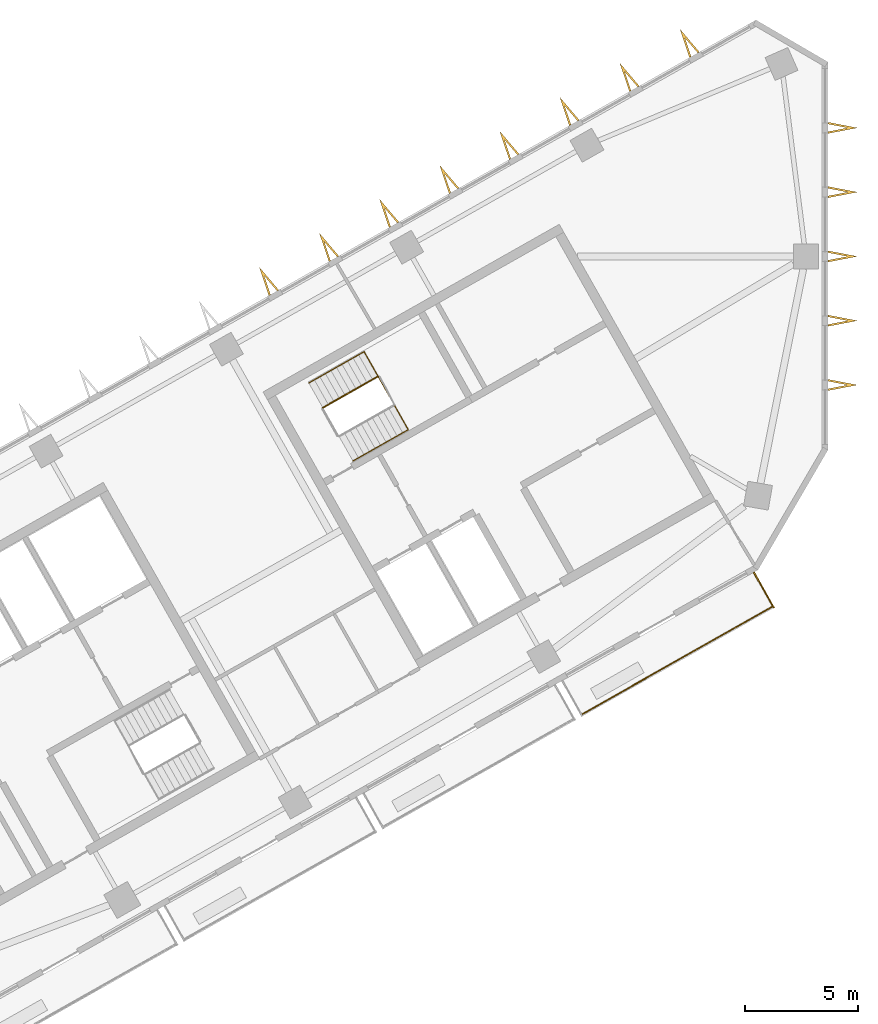
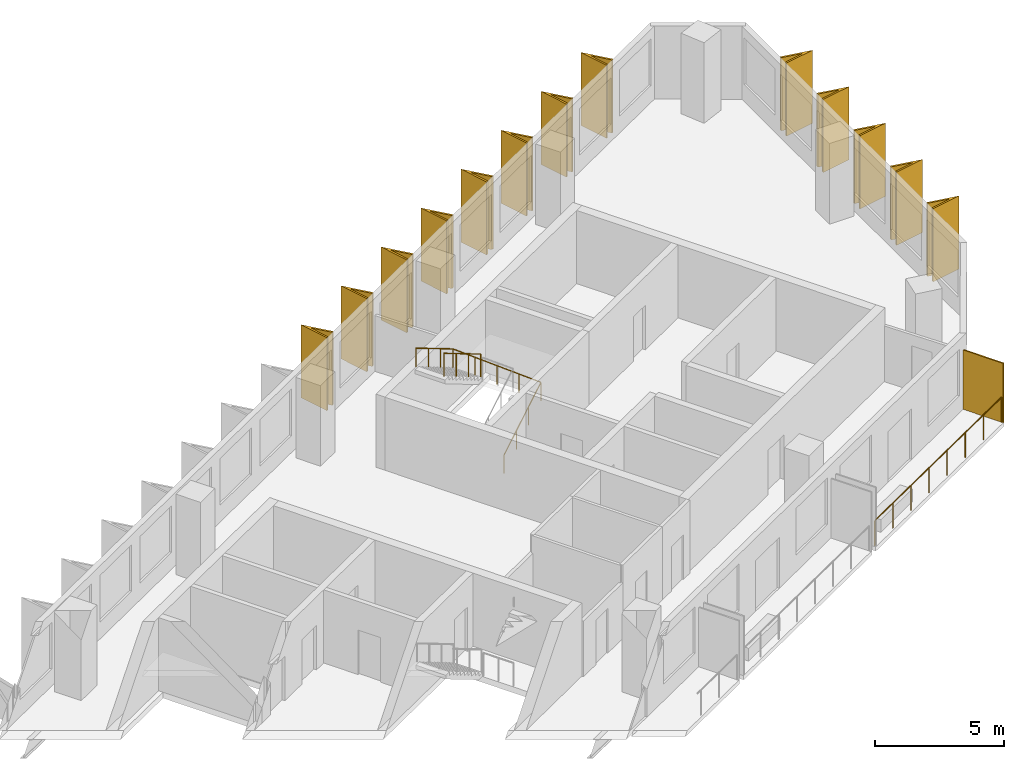
# One storey, part 7 of 8: 14 shading devices, 3 railings.
"""IFC4 building model written with IfcOpenShell, lengths in metres."""

import ifcopenshell
import ifcopenshell.guid

model = None  # the IFC model being written
_history = None  # IfcOwnerHistory: only IFC2X3 demands one
_inside = {}  # id of a spatial element -> (the spatial element, [elements in it])
_under = {}  # id of a project, library or spatial element -> (it, [spatial elements below it])
_declared = {}  # id of a project -> (the project, [libraries it declares])
_typed = {}  # id of a type object -> (the type object, [elements of that type])
_made_of = {}  # id of a material, layer set ... -> (it, [elements and type objects made of it])


def new_model(schema):
    """Start an empty IFC model of exactly this schema.

    Asked for "IFC4X3", IfcOpenShell would pick the latest addendum, in which some entities
    have other attributes; the version numbers below select the first issue.
    IFC2X3 requires an IfcOwnerHistory on every rooted entity: one is made here for all.
    """
    global model, _history
    if schema == "IFC4X3":
        model = ifcopenshell.file(schema_version=(4, 3, 0, 0))
    else:
        model = ifcopenshell.file(schema=schema)
    _inside.clear()
    _under.clear()
    _declared.clear()
    _typed.clear()
    _made_of.clear()
    _history = None
    if model.schema == "IFC2X3":
        org = make("IfcOrganization", Name="unknown")
        user = make(
            "IfcPersonAndOrganization",
            ThePerson=make("IfcPerson", FamilyName="unknown"),
            TheOrganization=org,
        )
        app = make(
            "IfcApplication",
            ApplicationDeveloper=org,
            Version="unknown",
            ApplicationFullName="unknown",
            ApplicationIdentifier="unknown",
        )
        _history = make(
            "IfcOwnerHistory",
            OwningUser=user,
            OwningApplication=app,
            ChangeAction="ADDED",
            CreationDate=0,
        )
    return model


def make(cls, **values):
    """One entity of the class cls with the attributes given. An attribute that is None is left unset."""
    return model.create_entity(
        cls, **{name: value for name, value in values.items() if value is not None}
    )


def rooted(cls, **values):
    """An entity with a GlobalId (a new one), such as an element, a storey or a relation."""
    return make(cls, GlobalId=ifcopenshell.guid.new(), OwnerHistory=_history, **values)


def si_unit(unit_type, name, prefix=None):
    """IfcSIUnit, for example si_unit("LENGTHUNIT", "METRE", prefix="MILLI")."""
    return make("IfcSIUnit", UnitType=unit_type, Prefix=prefix, Name=name)


def assignment(units):
    """IfcUnitAssignment: the units of a project."""
    return None if units is None else make("IfcUnitAssignment", Units=units)


def point(xyz):
    """IfcCartesianPoint."""
    return None if xyz is None else make("IfcCartesianPoint", Coordinates=xyz)


def direction(xyz):
    """IfcDirection."""
    return None if xyz is None else make("IfcDirection", DirectionRatios=xyz)


def frame(location, z_axis=None, x_axis=None):
    """IfcAxis2Placement3D, a coordinate frame: its origin and axes. An axis left out is left unset."""
    return make(
        "IfcAxis2Placement3D",
        Location=point(location),
        Axis=direction(z_axis),
        RefDirection=direction(x_axis),
    )


def frame_2d(location, x_axis=None):
    """IfcAxis2Placement2D, a coordinate frame in the plane: its origin and x axis."""
    return make(
        "IfcAxis2Placement2D", Location=point(location), RefDirection=direction(x_axis)
    )


def origin():
    """The frame at (0, 0, 0) with its axes left unset."""
    return frame((0.0, 0.0, 0.0))


def origin_2d():
    """The frame at (0, 0) in the plane with its x axis left unset."""
    return frame_2d((0.0, 0.0))


def place(relative_to, where):
    """IfcLocalPlacement: puts the frame where relative to a parent placement (None: the world)."""
    return make(
        "IfcLocalPlacement", PlacementRelTo=relative_to, RelativePlacement=where
    )


def context(
    kind, dimensions, precision=None, world=None, true_north=None, identifier=None
):
    """IfcGeometricRepresentationContext, for example the 3D "Model" context."""
    return make(
        "IfcGeometricRepresentationContext",
        ContextIdentifier=identifier,
        ContextType=kind,
        CoordinateSpaceDimension=dimensions,
        Precision=precision,
        WorldCoordinateSystem=world,
        TrueNorth=true_north,
    )


def subcontext(parent, identifier, kind, view, scale=None):
    """IfcGeometricRepresentationSubContext, for example "Body" below "Model"."""
    return make(
        "IfcGeometricRepresentationSubContext",
        ContextIdentifier=identifier,
        ContextType=kind,
        ParentContext=parent,
        TargetScale=scale,
        TargetView=view,
    )


def project(units=None, contexts=None):
    """IfcProject with its units and contexts."""
    return rooted(
        "IfcProject",
        Name="project",
        RepresentationContexts=contexts,
        UnitsInContext=assignment(units),
    )


def spatial(cls, under=None, at=None, **own):
    """A site, building, storey or space (cls), placed at a placement, below another one or the project."""
    s = rooted(cls, ObjectPlacement=at, **own)
    if under is not None:
        _under.setdefault(under.id(), (under, []))[1].append(s)
    return s


def polyline(points):
    """IfcPolyline through the points."""
    return make("IfcPolyline", Points=[point(p) for p in points])


def profile(cls, at=None, kind="AREA", **sizes):
    """A parametric profile (cls). Its sizes go by their IFC names, for example OverallWidth=200.0."""
    return make(cls, ProfileType=kind, Position=at, **sizes)


def rectangle(**sizes):
    """IfcRectangleProfileDef."""
    return profile("IfcRectangleProfileDef", **sizes)


def circle(**sizes):
    """IfcCircleProfileDef."""
    return profile("IfcCircleProfileDef", **sizes)


def outline(outer, holes=None, kind="AREA"):
    """IfcArbitraryClosedProfileDef: a profile drawn as a closed curve; with holes, ...WithVoids."""
    if holes is None:
        return make("IfcArbitraryClosedProfileDef", ProfileType=kind, OuterCurve=outer)
    return make(
        "IfcArbitraryProfileDefWithVoids",
        ProfileType=kind,
        OuterCurve=outer,
        InnerCurves=holes,
    )


def extrude(swept, where, along, depth):
    """IfcExtrudedAreaSolid: the profile swept, set in the frame where, extruded along a direction by depth."""
    return make(
        "IfcExtrudedAreaSolid",
        SweptArea=swept,
        Position=where,
        ExtrudedDirection=direction(along),
        Depth=depth,
    )


def shape(context_of_items, identifier, shape_type, items):
    """IfcShapeRepresentation: the items that make up one representation, for example the "Body"."""
    return make(
        "IfcShapeRepresentation",
        ContextOfItems=context_of_items,
        RepresentationIdentifier=identifier,
        RepresentationType=shape_type,
        Items=items,
    )


def material(Name=None, Category=None):
    """IfcMaterial."""
    return make("IfcMaterial", Name=Name, Category=Category)


def layer(
    of_material, thickness, ventilated=None, Name=None, Category=None, Priority=None
):
    """IfcMaterialLayer: one layer of a wall or slab, of a material (None: an air gap)."""
    return make(
        "IfcMaterialLayer",
        Material=of_material,
        LayerThickness=thickness,
        IsVentilated=ventilated,
        Name=Name,
        Category=Category,
        Priority=Priority,
    )


def layer_set(layers, Name=None):
    """IfcMaterialLayerSet."""
    return make("IfcMaterialLayerSet", MaterialLayers=layers, LayerSetName=Name)


def made_of(thing, what):
    """Note that an element or type object is made of a material, layer set ...; save() writes the relation."""
    if what is not None:
        _made_of.setdefault(what.id(), (what, []))[1].append(thing)
    return thing


def type_object(cls, material=None, **own):
    """A type object (cls), such as IfcWallType, which elements share."""
    return made_of(rooted(cls, **own), material)


def element(
    cls,
    number,
    at=None,
    inside=None,
    cuts=None,
    type_object=None,
    material=None,
    context=None,
    identifier="Body",
    shape_type=None,
    held_by="IfcProductDefinitionShape",
    body=None,
    shapes=None,
    **own,
):
    """One element of the class cls, such as IfcWall. Its Tag is "e" and its number.

    at: its placement. inside: the storey or other place that contains it. cuts: it is an
    opening in that element (IfcRelVoidsElement). A single representation is given by context,
    identifier, shape_type and body (its items); several are given by shapes. held_by: the class
    of the entity that holds the representations. save() writes the other relations.
    """
    e = rooted(cls, Tag="e%d" % number, ObjectPlacement=at, **own)
    if body is not None:
        shapes = [shape(context, identifier, shape_type, body)]
    if shapes is not None:
        e.Representation = make(held_by, Representations=shapes)
    if inside is not None:
        _inside.setdefault(inside.id(), (inside, []))[1].append(e)
    if cuts is not None:
        rooted(
            "IfcRelVoidsElement", RelatingBuildingElement=cuts, RelatedOpeningElement=e
        )
    if type_object is not None:
        _typed.setdefault(type_object.id(), (type_object, []))[1].append(e)
    return made_of(e, material)


def aggregate(whole, parts):
    """IfcRelAggregates: a whole, such as a stair, and the parts it consists of."""
    return rooted("IfcRelAggregates", RelatingObject=whole, RelatedObjects=parts)


def save(model, path):
    """Write the relations noted so far, then the file.

    IfcRelAggregates (storeys below a building ...), IfcRelContainedInSpatialStructure (elements
    in a storey), IfcRelDefinesByType, IfcRelAssociatesMaterial and IfcRelDeclares: one each for
    every whole, place, type object, material and project.
    """
    for whole, parts in _under.values():
        aggregate(whole, parts)
    for where, things in _inside.values():
        rooted(
            "IfcRelContainedInSpatialStructure",
            RelatedElements=things,
            RelatingStructure=where,
        )
    for kind, things in _typed.values():
        rooted("IfcRelDefinesByType", RelatedObjects=things, RelatingType=kind)
    for what, things in _made_of.values():
        rooted("IfcRelAssociatesMaterial", RelatedObjects=things, RelatingMaterial=what)
    for by, libraries in _declared.values():
        rooted("IfcRelDeclares", RelatingContext=by, RelatedDefinitions=libraries)
    model.write(path)


model = new_model("IFC4")

# Units and contexts
model_context = context("Model", 3, precision=1e-05, world=origin(), true_north=direction((0.0, 1.0)))
body_context = subcontext(model_context, "Body", "Model", "MODEL_VIEW")
ifc_project = project(units=[si_unit("LENGTHUNIT", "METRE"), si_unit("AREAUNIT", "SQUARE_METRE"), si_unit("VOLUMEUNIT", "CUBIC_METRE"), si_unit("PLANEANGLEUNIT", "RADIAN"), si_unit("MASSUNIT", "GRAM", prefix="KILO")], contexts=[model_context])

# Site, building, storey
site_placement = place(None, origin())
site = spatial("IfcSite", under=ifc_project, at=site_placement, CompositionType="ELEMENT")
building_placement = place(site_placement, origin())
building = spatial("IfcBuilding", under=site, at=building_placement, Name="Binnacle Exchange Tower", CompositionType="ELEMENT")
storey_placement = place(building_placement, frame((0.0, 0.0, 308.300048828125)))
storey = spatial("IfcBuildingStorey", under=building, at=storey_placement, Name="L69", CompositionType="ELEMENT", Elevation=308.300048828125)

# Railing
ifc_material_1 = material(Name="Bronze anodised aluminium frame", Category="aluminium")
railing_type_1 = type_object("IfcRailingType", Name="GUARD 1200", PredefinedType="GUARDRAIL", material=ifc_material_1)
railing_1_placement = place(storey_placement, frame((-10.7177734375, 39.81640625, 0.0)))
element("IfcRailing", 1, at=railing_1_placement, inside=storey, type_object=railing_type_1, Name="Balcony guard H07-B03 L69", PredefinedType="GUARDRAIL", context=body_context, shape_type="SweptSolid", body=[
    extrude(circle(Radius=0.02392578125, at=origin_2d()), frame((0.0, 0.0, 1.17578125), z_axis=(0.870353035673, 0.492428262079, 0.0), x_axis=(-0.492428262079, 0.870353035673, 0.0)), (0.0, 0.0, 1.0), 9.64794921875),
    extrude(circle(Radius=0.02099609375, at=origin_2d()), origin(), (0.0, 0.0, 1.0), 1.15185546875),
    extrude(circle(Radius=0.02099609375, at=origin_2d()), frame((1.19970703125, 0.6787109375, 0.0)), (0.0, 0.0, 1.0), 1.15185546875),
    extrude(circle(Radius=0.02099609375, at=origin_2d()), frame((2.399169921875, 1.357421875, 0.0)), (0.0, 0.0, 1.0), 1.15185546875),
    extrude(circle(Radius=0.02099609375, at=origin_2d()), frame((3.598876953125, 2.0361328125, 0.0)), (0.0, 0.0, 1.0), 1.15185546875),
    extrude(circle(Radius=0.02099609375, at=origin_2d()), frame((4.79833984375, 2.71484375, 0.0)), (0.0, 0.0, 1.0), 1.15185546875),
    extrude(circle(Radius=0.02099609375, at=origin_2d()), frame((5.998046875, 3.3935546875, 0.0)), (0.0, 0.0, 1.0), 1.15185546875),
    extrude(circle(Radius=0.02099609375, at=origin_2d()), frame((7.197509765625, 4.072265625, 0.0)), (0.0, 0.0, 1.0), 1.15185546875),
    extrude(circle(Radius=0.02099609375, at=origin_2d()), frame((8.397216796875, 4.7509765625, 0.0)), (0.0, 0.0, 1.0), 1.15185546875),
])

# Shading device
ifc_material_2 = material(Name="Bronze aluminium louvre", Category="aluminium")
ifc_layer = layer(ifc_material_2, 0.06005859375)
ifc_layer_set = layer_set([ifc_layer], Name="PLANTED SCREEN 60x2800")
shading_device_type_1 = type_object("IfcShadingDeviceType", Name="PLANTED SCREEN 60x2800", PredefinedType="USERDEFINED", material=ifc_layer_set)
shading_device_1_placement = place(storey_placement, frame((-2.697998046875, 45.2958984375, 0.0), z_axis=(0.0, 0.0, 1.0), x_axis=(0.87035569594, 0.492423560103, 0.0)))
element("IfcShadingDevice", 2, at=shading_device_1_placement, inside=storey, type_object=shading_device_type_1, Name="Planted screen H07-B03b L69", ObjectType="SCREEN", PredefinedType="USERDEFINED", context=body_context, shape_type="SweptSolid", body=[
    extrude(rectangle(XDim=0.06005859375, YDim=1.800048828125, at=origin_2d()), origin(), (0.0, 0.0, 1.0), 2.800048828125),
])

# Railings
ifc_material_3 = material(Name="Steel guard rail", Category="steel")
railing_type_2 = type_object("IfcRailingType", Name="STAIR GUARD 1100", PredefinedType="GUARDRAIL", material=ifc_material_3)
railing_2_placement = place(storey_placement, frame((-19.70068359375, 54.71337890625, 2.07275390625)))
element("IfcRailing", 3, at=railing_2_placement, inside=storey, type_object=railing_type_2, Name="L69 STC1 stair guard 2", PredefinedType="GUARDRAIL", context=body_context, shape_type="SweptSolid", body=[
    extrude(circle(Radius=0.02392578125, at=origin_2d()), frame((0.0, 0.0, 1.076171875), z_axis=(-0.740760999345, -0.419062048017, 0.525033467278), x_axis=(0.492387636113, -0.870376019777, 0.0)), (0.0, 0.0, 1.0), 3.289794921875),
    extrude(circle(Radius=0.02099609375, at=origin_2d()), origin(), (0.0, 0.0, 1.0), 1.052001953125),
    extrude(circle(Radius=0.02099609375, at=origin_2d()), frame((-0.812255859375, -0.45947265625, 0.57568359375)), (0.0, 0.0, 1.0), 1.052001953125),
    extrude(circle(Radius=0.02099609375, at=origin_2d()), frame((-1.624755859375, -0.919189453125, 1.151611328125)), (0.0, 0.0, 1.0), 1.052001953125),
    extrude(circle(Radius=0.02099609375, at=origin_2d()), frame((-2.43701171875, -1.378662109375, 1.727294921875)), (0.0, 0.0, 1.0), 1.052001953125),
])
ifc_material_4 = material(Name="Steel handrail", Category="steel")
railing_type_3 = type_object("IfcRailingType", Name="STAIR HANDRAIL 900", PredefinedType="HANDRAIL", material=ifc_material_4)
railing_3_placement = place(storey_placement, frame((-20.808349609375, 50.984619140625, 0.172607421875)))
element("IfcRailing", 4, at=railing_3_placement, inside=storey, type_object=railing_type_3, Name="L69 STC1 stair handrail 1", PredefinedType="HANDRAIL", context=body_context, shape_type="SweptSolid", body=[
    extrude(circle(Radius=0.02392578125, at=origin_2d()), frame((0.0, 0.0, 0.8759765625), z_axis=(0.740737961854, 0.419123222656, 0.525017138862), x_axis=(-0.492453686477, 0.870338650569, 0.0)), (0.0, 0.0, 1.0), 3.2900390625),
    extrude(circle(Radius=0.02392578125, at=origin_2d()), frame((2.43701171875, 1.37890625, 2.60302734375), z_axis=(-0.491969260701, 0.869514140822, 0.043719623017), x_axis=(-0.87034633103, -0.492440112159, 0.0)), (0.0, 0.0, 1.0), 3.95361328125),
    extrude(circle(Radius=0.02392578125, at=origin_2d()), frame((0.491943359375, 4.816650390625, 2.77587890625), z_axis=(-0.740760999345, -0.419062048017, 0.525033467278), x_axis=(0.492387636113, -0.870376019777, 0.0)), (0.0, 0.0, 1.0), 3.289794921875),
    extrude(circle(Radius=0.02099609375, at=origin_2d()), origin(), (0.0, 0.0, 1.0), 0.851806640625),
    extrude(circle(Radius=0.02099609375, at=origin_2d()), frame((0.812255859375, 0.459716796875, 0.57568359375)), (0.0, 0.0, 1.0), 0.851806640625),
    extrude(circle(Radius=0.02099609375, at=origin_2d()), frame((1.624755859375, 0.919189453125, 1.151611328125)), (0.0, 0.0, 1.0), 0.851806640625),
    extrude(circle(Radius=0.02099609375, at=origin_2d()), frame((2.43701171875, 1.37890625, 1.727294921875)), (0.0, 0.0, 1.0), 0.851806640625),
    extrude(circle(Radius=0.02099609375, at=origin_2d()), frame((1.95068359375, 2.23828125, 1.7705078125)), (0.0, 0.0, 1.0), 0.851806640625),
    extrude(circle(Radius=0.02099609375, at=origin_2d()), frame((1.46435546875, 3.09765625, 1.813720703125)), (0.0, 0.0, 1.0), 0.851806640625),
    extrude(circle(Radius=0.02099609375, at=origin_2d()), frame((0.978271484375, 3.957275390625, 1.85693359375)), (0.0, 0.0, 1.0), 0.851806640625),
    extrude(circle(Radius=0.02099609375, at=origin_2d()), frame((0.491943359375, 4.816650390625, 1.900146484375)), (0.0, 0.0, 1.0), 0.851806640625),
    extrude(circle(Radius=0.02099609375, at=origin_2d()), frame((-0.3203125, 4.357177734375, 2.475830078125)), (0.0, 0.0, 1.0), 0.851806640625),
    extrude(circle(Radius=0.02099609375, at=origin_2d()), frame((-1.1328125, 3.8974609375, 3.0517578125)), (0.0, 0.0, 1.0), 0.851806640625),
    extrude(circle(Radius=0.02099609375, at=origin_2d()), frame((-1.945068359375, 3.43798828125, 3.62744140625)), (0.0, 0.0, 1.0), 0.851806640625),
])

# Shading devices
ifc_material_5 = material(Name="Bronze aluminium cladding", Category="aluminium")
shading_device_type_2 = type_object("IfcShadingDeviceType", Name="V FIN 1300 DEEP x 3450 HIGH", PredefinedType="USERDEFINED", material=ifc_material_5)
shading_device_2_placement = place(storey_placement, origin())
element("IfcShadingDevice", 5, at=shading_device_2_placement, inside=storey, type_object=shading_device_type_2, Name="V fin FN-H01-01 L69", ObjectType="FIN", PredefinedType="USERDEFINED", context=body_context, shape_type="SweptSolid", body=[
    extrude(outline(polyline([(0.125, 54.083251953125), (1.425048828125, 54.333251953125), (0.125, 54.583251953125), (0.125, 54.501708984375), (1.00146484375, 54.333251953125), (0.125, 54.164794921875), (0.125, 54.083251953125)])), origin(), (0.0, 0.0, 1.0), 3.449951171875),
])
shading_device_3_placement = place(storey_placement, origin())
element("IfcShadingDevice", 6, at=shading_device_3_placement, inside=storey, type_object=shading_device_type_2, Name="V fin FN-H01-02 L69", ObjectType="FIN", PredefinedType="USERDEFINED", context=body_context, shape_type="SweptSolid", body=[
    extrude(outline(polyline([(0.125, 56.916748046875), (1.425048828125, 57.166748046875), (0.125, 57.416748046875), (0.125, 57.335205078125), (1.00146484375, 57.166748046875), (0.125, 56.998291015625), (0.125, 56.916748046875)])), origin(), (0.0, 0.0, 1.0), 3.449951171875),
])
shading_device_4_placement = place(storey_placement, origin())
element("IfcShadingDevice", 7, at=shading_device_4_placement, inside=storey, type_object=shading_device_type_2, Name="V fin FN-H01-03 L69", ObjectType="FIN", PredefinedType="USERDEFINED", context=body_context, shape_type="SweptSolid", body=[
    extrude(outline(polyline([(0.125, 59.75), (1.425048828125, 60.0), (0.125, 60.25), (0.125, 60.16845703125), (1.00146484375, 60.0), (0.125, 59.83154296875), (0.125, 59.75)])), origin(), (0.0, 0.0, 1.0), 3.449951171875),
])
shading_device_5_placement = place(storey_placement, origin())
element("IfcShadingDevice", 8, at=shading_device_5_placement, inside=storey, type_object=shading_device_type_2, Name="V fin FN-H01-04 L69", ObjectType="FIN", PredefinedType="USERDEFINED", context=body_context, shape_type="SweptSolid", body=[
    extrude(outline(polyline([(0.125, 62.583251953125), (1.425048828125, 62.833251953125), (0.125, 63.083251953125), (0.125, 63.001708984375), (1.00146484375, 62.833251953125), (0.125, 62.664794921875), (0.125, 62.583251953125)])), origin(), (0.0, 0.0, 1.0), 3.449951171875),
])
shading_device_6_placement = place(storey_placement, origin())
element("IfcShadingDevice", 9, at=shading_device_6_placement, inside=storey, type_object=shading_device_type_2, Name="V fin FN-H01-05 L69", ObjectType="FIN", PredefinedType="USERDEFINED", context=body_context, shape_type="SweptSolid", body=[
    extrude(outline(polyline([(0.125, 65.416748046875), (1.425048828125, 65.666748046875), (0.125, 65.916748046875), (0.125, 65.835205078125), (1.00146484375, 65.666748046875), (0.125, 65.498291015625), (0.125, 65.416748046875)])), origin(), (0.0, 0.0, 1.0), 3.449951171875),
])
shading_device_7_placement = place(storey_placement, origin())
element("IfcShadingDevice", 10, at=shading_device_7_placement, inside=storey, type_object=shading_device_type_2, Name="V fin FN-H03-01 L69", ObjectType="FIN", PredefinedType="USERDEFINED", context=body_context, shape_type="SweptSolid", body=[
    extrude(outline(polyline([(-5.538818359375, 69.009765625), (-6.396728515625, 70.018310546875), (-5.97412109375, 68.763671875), (-5.9033203125, 68.8037109375), (-6.18798828125, 69.6494140625), (-5.60986328125, 68.9697265625), (-5.538818359375, 69.009765625)])), origin(), (0.0, 0.0, 1.0), 3.449951171875),
])
shading_device_8_placement = place(storey_placement, origin())
element("IfcShadingDevice", 11, at=shading_device_8_placement, inside=storey, type_object=shading_device_type_2, Name="V fin FN-H03-02 L69", ObjectType="FIN", PredefinedType="USERDEFINED", context=body_context, shape_type="SweptSolid", body=[
    extrude(outline(polyline([(-8.187744140625, 67.51123046875), (-9.04541015625, 68.51953125), (-8.622802734375, 67.264892578125), (-8.552001953125, 67.30517578125), (-8.8369140625, 68.15087890625), (-8.258544921875, 67.47119140625), (-8.187744140625, 67.51123046875)])), origin(), (0.0, 0.0, 1.0), 3.449951171875),
])
shading_device_9_placement = place(storey_placement, origin())
element("IfcShadingDevice", 12, at=shading_device_9_placement, inside=storey, type_object=shading_device_type_2, Name="V fin FN-H03-03 L69", ObjectType="FIN", PredefinedType="USERDEFINED", context=body_context, shape_type="SweptSolid", body=[
    extrude(outline(polyline([(-10.83642578125, 66.0126953125), (-11.694091796875, 67.02099609375), (-11.271484375, 65.766357421875), (-11.20068359375, 65.806396484375), (-11.485595703125, 66.65234375), (-10.9072265625, 65.972412109375), (-10.83642578125, 66.0126953125)])), origin(), (0.0, 0.0, 1.0), 3.449951171875),
])
shading_device_10_placement = place(storey_placement, origin())
element("IfcShadingDevice", 13, at=shading_device_10_placement, inside=storey, type_object=shading_device_type_2, Name="V fin FN-H03-04 L69", ObjectType="FIN", PredefinedType="USERDEFINED", context=body_context, shape_type="SweptSolid", body=[
    extrude(outline(polyline([(-13.485107421875, 64.51416015625), (-14.343017578125, 65.5224609375), (-13.92041015625, 64.267822265625), (-13.849365234375, 64.30810546875), (-14.13427734375, 65.15380859375), (-13.555908203125, 64.47412109375), (-13.485107421875, 64.51416015625)])), origin(), (0.0, 0.0, 1.0), 3.449951171875),
])
shading_device_11_placement = place(storey_placement, origin())
element("IfcShadingDevice", 14, at=shading_device_11_placement, inside=storey, type_object=shading_device_type_2, Name="V fin FN-H03-05 L69", ObjectType="FIN", PredefinedType="USERDEFINED", context=body_context, shape_type="SweptSolid", body=[
    extrude(outline(polyline([(-16.1337890625, 63.015380859375), (-16.99169921875, 64.02392578125), (-16.569091796875, 62.769287109375), (-16.498046875, 62.809326171875), (-16.782958984375, 63.6552734375), (-16.20458984375, 62.975341796875), (-16.1337890625, 63.015380859375)])), origin(), (0.0, 0.0, 1.0), 3.449951171875),
])
shading_device_12_placement = place(storey_placement, origin())
element("IfcShadingDevice", 15, at=shading_device_12_placement, inside=storey, type_object=shading_device_type_2, Name="V fin FN-H03-06 L69", ObjectType="FIN", PredefinedType="USERDEFINED", context=body_context, shape_type="SweptSolid", body=[
    extrude(outline(polyline([(-18.78271484375, 61.516845703125), (-19.640380859375, 62.525390625), (-19.2177734375, 61.270751953125), (-19.14697265625, 61.310791015625), (-19.431640625, 62.156494140625), (-18.853515625, 61.476806640625), (-18.78271484375, 61.516845703125)])), origin(), (0.0, 0.0, 1.0), 3.449951171875),
])
shading_device_13_placement = place(storey_placement, origin())
element("IfcShadingDevice", 16, at=shading_device_13_placement, inside=storey, type_object=shading_device_type_2, Name="V fin FN-H03-07 L69", ObjectType="FIN", PredefinedType="USERDEFINED", context=body_context, shape_type="SweptSolid", body=[
    extrude(outline(polyline([(-21.431396484375, 60.018310546875), (-22.2890625, 61.026611328125), (-21.866455078125, 59.772216796875), (-21.795654296875, 59.812255859375), (-22.080322265625, 60.657958984375), (-21.502197265625, 59.978271484375), (-21.431396484375, 60.018310546875)])), origin(), (0.0, 0.0, 1.0), 3.449951171875),
])
shading_device_14_placement = place(storey_placement, origin())
element("IfcShadingDevice", 17, at=shading_device_14_placement, inside=storey, type_object=shading_device_type_2, Name="V fin FN-H03-08 L69", ObjectType="FIN", PredefinedType="USERDEFINED", context=body_context, shape_type="SweptSolid", body=[
    extrude(outline(polyline([(-24.080078125, 58.519775390625), (-24.93798828125, 59.528076171875), (-24.515380859375, 58.2734375), (-24.4443359375, 58.313720703125), (-24.729248046875, 59.159423828125), (-24.15087890625, 58.4794921875), (-24.080078125, 58.519775390625)])), origin(), (0.0, 0.0, 1.0), 3.449951171875),
])

save(model, "model.ifc")
